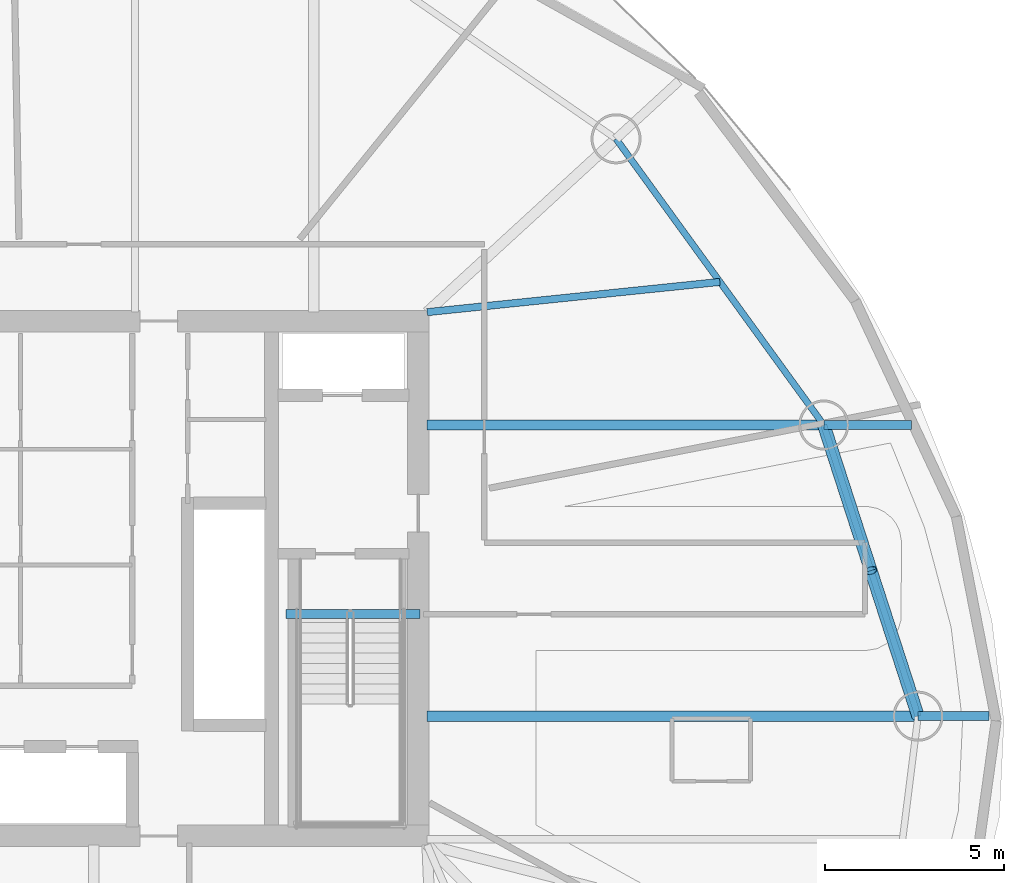
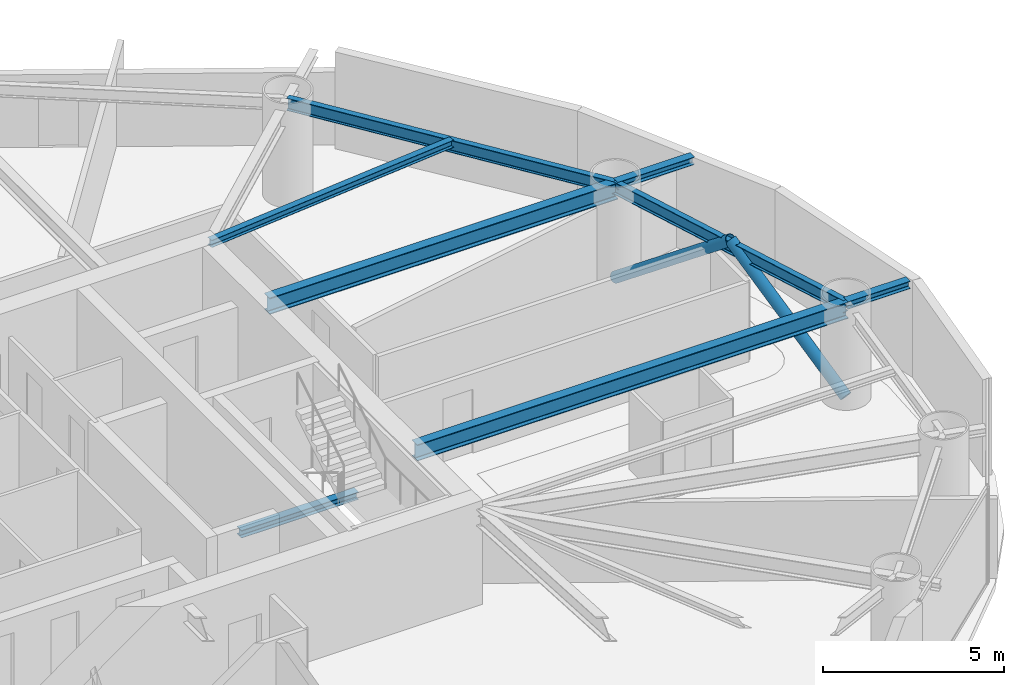
# One storey, part 6 of 19: 8 beams, 2 members.
"""IFC4 building model written with IfcOpenShell, lengths in metres."""

from ifc_helpers import new_model, si_unit, direction, frame, origin, origin_2d, place, context, subcontext, project, spatial, hollow_circle, i_section, extrude, material, material_profile, profile_set, type_object, element, save


model = new_model("IFC4")

# Units and contexts
model_context = context("Model", 3, precision=1e-05, world=origin(), true_north=direction((0.0, 1.0)))
body_context = subcontext(model_context, "Body", "Model", "MODEL_VIEW")
ifc_project = project(units=[si_unit("LENGTHUNIT", "METRE"), si_unit("AREAUNIT", "SQUARE_METRE"), si_unit("VOLUMEUNIT", "CUBIC_METRE"), si_unit("PLANEANGLEUNIT", "RADIAN"), si_unit("MASSUNIT", "GRAM", prefix="KILO")], contexts=[model_context])

# Site, building, storey
site_placement = place(None, origin())
site = spatial("IfcSite", under=ifc_project, at=site_placement, CompositionType="ELEMENT")
building_placement = place(site_placement, origin())
building = spatial("IfcBuilding", under=site, at=building_placement, Name="Bramvorn Convention Spire", CompositionType="ELEMENT")
storey_placement = place(building_placement, frame((0.0, 0.0, 109.800048828125)))
storey = spatial("IfcBuildingStorey", under=building, at=storey_placement, Name="L26", CompositionType="ELEMENT", Elevation=109.800048828125)

# Beams
ifc_material = material(Name="Steel CSA G40.21 Grade 350 (350W)", Category="steel")
ifc_material_profile_1 = material_profile(ifc_material, i_section(OverallWidth=0.201904296875, OverallDepth=0.2470703125, WebThickness=0.00732421875, FlangeThickness=0.010986328125, FilletRadius=0.011962890625, at=origin_2d()))
ifc_profile_set_1 = profile_set([ifc_material_profile_1], Name="Steel CSA G40.21 Grade 350 (350W) - W250X49")
beam_type_1 = type_object("IfcBeamType", Name="BM-W250X49", PredefinedType="JOIST", material=ifc_profile_set_1)
beam_1_placement = place(storey_placement, frame((49.25, 33.449951171875, 3.136474609375), z_axis=(0.994705076194, 0.102770673804, 0.0), x_axis=(-0.102770673804, 0.994705076194, 0.0)))
element("IfcBeam", 1, at=beam_1_placement, inside=storey, type_object=beam_type_1, Name="L26 composite floor joist 03", PredefinedType="JOIST", context=body_context, shape_type="SweptSolid", body=[
    extrude(i_section(OverallWidth=0.201904296875, OverallDepth=0.2470703125, WebThickness=0.00732421875, FlangeThickness=0.010986328125, FilletRadius=0.011962890625, at=origin_2d()), origin(), (0.0, 0.0, 1.0), 8.23388671875),
])
ifc_material_profile_2 = material_profile(ifc_material, i_section(OverallWidth=0.25390625, OverallDepth=0.2529296875, WebThickness=0.008544921875, FlangeThickness=0.01416015625, FilletRadius=0.011962890625, at=origin_2d()))
ifc_profile_set_2 = profile_set([ifc_material_profile_2], Name="Steel CSA G40.21 Grade 350 (350W) - W250X73")
beam_type_2 = type_object("IfcBeamType", Name="BM-W250X73", PredefinedType="BEAM", material=ifc_profile_set_2)
beam_2_placement = place(storey_placement, frame((62.983642578125, 22.148193359375, 3.133544921875), z_axis=(1.0, 0.0, 0.0), x_axis=(0.0, 1.0, 0.0)))
element("IfcBeam", 2, at=beam_2_placement, inside=storey, type_object=beam_type_2, Name="L26 slab-edge cantilever tip beam MC02", PredefinedType="BEAM", context=body_context, shape_type="SweptSolid", body=[
    extrude(i_section(OverallWidth=0.25390625, OverallDepth=0.2529296875, WebThickness=0.008544921875, FlangeThickness=0.01416015625, FilletRadius=0.011962890625, at=origin_2d()), origin(), (0.0, 0.0, 1.0), 1.986572265625),
])
beam_3_placement = place(storey_placement, frame((60.345703125, 30.293212890625, 3.133544921875), z_axis=(1.0, 0.0, 0.0), x_axis=(0.0, 1.0, 0.0)))
element("IfcBeam", 3, at=beam_3_placement, inside=storey, type_object=beam_type_2, Name="L26 slab-edge cantilever tip beam MC03", PredefinedType="BEAM", context=body_context, shape_type="SweptSolid", body=[
    extrude(i_section(OverallWidth=0.25390625, OverallDepth=0.2529296875, WebThickness=0.008544921875, FlangeThickness=0.01416015625, FilletRadius=0.011962890625, at=origin_2d()), origin(), (0.0, 0.0, 1.0), 2.45166015625),
])
beam_4_placement = place(storey_placement, frame((45.31005859375, 25.010009765625, -0.12646484375), z_axis=(1.0, 0.0, 0.0), x_axis=(0.0, 1.0, 0.0)))
element("IfcBeam", 4, at=beam_4_placement, inside=storey, type_object=beam_type_2, Name="L26 ST2 stair arrival header beam", PredefinedType="BEAM", context=body_context, shape_type="SweptSolid", body=[
    extrude(i_section(OverallWidth=0.25390625, OverallDepth=0.2529296875, WebThickness=0.008544921875, FlangeThickness=0.01416015625, FilletRadius=0.011962890625, at=origin_2d()), origin(), (0.0, 0.0, 1.0), 3.739990234375),
])
ifc_material_profile_3 = material_profile(ifc_material, i_section(OverallWidth=0.180908203125, OverallDepth=0.4169921875, WebThickness=0.010986328125, FlangeThickness=0.018310546875, FilletRadius=0.01611328125, at=origin_2d()))
ifc_profile_set_3 = profile_set([ifc_material_profile_3], Name="Steel CSA G40.21 Grade 350 (350W) - W410X85")
beam_type_3 = type_object("IfcBeamType", Name="BM-W410X85", PredefinedType="JOIST", material=ifc_profile_set_3)
beam_5_placement = place(storey_placement, frame((62.983642578125, 22.148193359375, 3.051513671875), z_axis=(-0.308114853612, 0.951349166701, 0.0), x_axis=(-0.951349166701, -0.308114853612, 0.0)))
element("IfcBeam", 5, at=beam_5_placement, inside=storey, type_object=beam_type_3, Name="L26 mega-column ring beam 02", PredefinedType="JOIST", context=body_context, shape_type="SweptSolid", body=[
    extrude(i_section(OverallWidth=0.180908203125, OverallDepth=0.4169921875, WebThickness=0.010986328125, FlangeThickness=0.018310546875, FilletRadius=0.01611328125, at=origin_2d()), origin(), (0.0, 0.0, 1.0), 8.5615234375),
])
beam_6_placement = place(storey_placement, frame((60.345703125, 30.293212890625, 3.051513671875), z_axis=(-0.587401024629, 0.809296012757, 0.0), x_axis=(-0.809296012757, -0.587401024629, 0.0)))
element("IfcBeam", 6, at=beam_6_placement, inside=storey, type_object=beam_type_3, Name="L26 mega-column ring beam 03", PredefinedType="JOIST", context=body_context, shape_type="SweptSolid", body=[
    extrude(i_section(OverallWidth=0.180908203125, OverallDepth=0.4169921875, WebThickness=0.010986328125, FlangeThickness=0.018310546875, FilletRadius=0.01611328125, at=origin_2d()), origin(), (0.0, 0.0, 1.0), 9.892333984375),
])
ifc_material_profile_4 = material_profile(ifc_material, i_section(OverallWidth=0.2919921875, OverallDepth=0.551025390625, WebThickness=0.01513671875, FlangeThickness=0.0244140625, FilletRadius=0.01904296875, at=origin_2d()))
ifc_profile_set_4 = profile_set([ifc_material_profile_4], Name="Steel CSA G40.21 Grade 350 (350W) - W530X182")
beam_type_4 = type_object("IfcBeamType", Name="BM-W530X182", PredefinedType="BEAM", material=ifc_profile_set_4)
beam_7_placement = place(storey_placement, frame((49.25, 22.148193359375, 2.984375), z_axis=(1.0, 0.0, 0.0), x_axis=(0.0, 1.0, 0.0)))
element("IfcBeam", 7, at=beam_7_placement, inside=storey, type_object=beam_type_4, Name="L26 radial floor girder MC02", PredefinedType="BEAM", context=body_context, shape_type="SweptSolid", body=[
    extrude(i_section(OverallWidth=0.2919921875, OverallDepth=0.551025390625, WebThickness=0.01513671875, FlangeThickness=0.0244140625, FilletRadius=0.01904296875, at=origin_2d()), origin(), (0.0, 0.0, 1.0), 13.733642578125),
])
beam_8_placement = place(storey_placement, frame((49.25, 30.293212890625, 2.984375), z_axis=(1.0, 0.0, 0.0), x_axis=(0.0, 1.0, 0.0)))
element("IfcBeam", 8, at=beam_8_placement, inside=storey, type_object=beam_type_4, Name="L26 radial floor girder MC03", PredefinedType="BEAM", context=body_context, shape_type="SweptSolid", body=[
    extrude(i_section(OverallWidth=0.2919921875, OverallDepth=0.551025390625, WebThickness=0.01513671875, FlangeThickness=0.0244140625, FilletRadius=0.01904296875, at=origin_2d()), origin(), (0.0, 0.0, 1.0), 11.095703125),
])

# Members
ifc_material_profile_5 = material_profile(ifc_material, hollow_circle(Radius=0.177734375, WallThickness=0.015869140625, at=origin_2d()))
ifc_profile_set_5 = profile_set([ifc_material_profile_5], Name="Steel CSA G40.21 Grade 350 (350W) - CHS356X16")
member_type = type_object("IfcMemberType", Name="MBR-CHS356X16", PredefinedType="BRACE", material=ifc_profile_set_5)
for number, where, z_axis, x_axis, name in (
    (9, (62.983642578125, 22.148193359375, 0.0), (-0.245105274589, 0.75686802766, 0.605866481227), (-0.951357525158, -0.308089044476, 0.0), "L26 perimeter Gothic lancet brace 2A"),
    (10, (60.345703125, 30.293212890625, 0.0), (0.245147921079, -0.756859609759, 0.605859742768), (0.951340807692, 0.308140662068, 0.0), "L26 perimeter Gothic lancet brace 2B"),
):
    element("IfcMember", number, at=place(storey_placement, frame(where, z_axis=z_axis, x_axis=x_axis)), inside=storey, type_object=member_type, Name=name, PredefinedType="BRACE", context=body_context, shape_type="SweptSolid", body=[
        extrude(hollow_circle(Radius=0.177734375, WallThickness=0.015869140625, at=origin_2d()), origin(), (0.0, 0.0, 1.0), 5.380859375),
    ])

save(model, "model.ifc")
